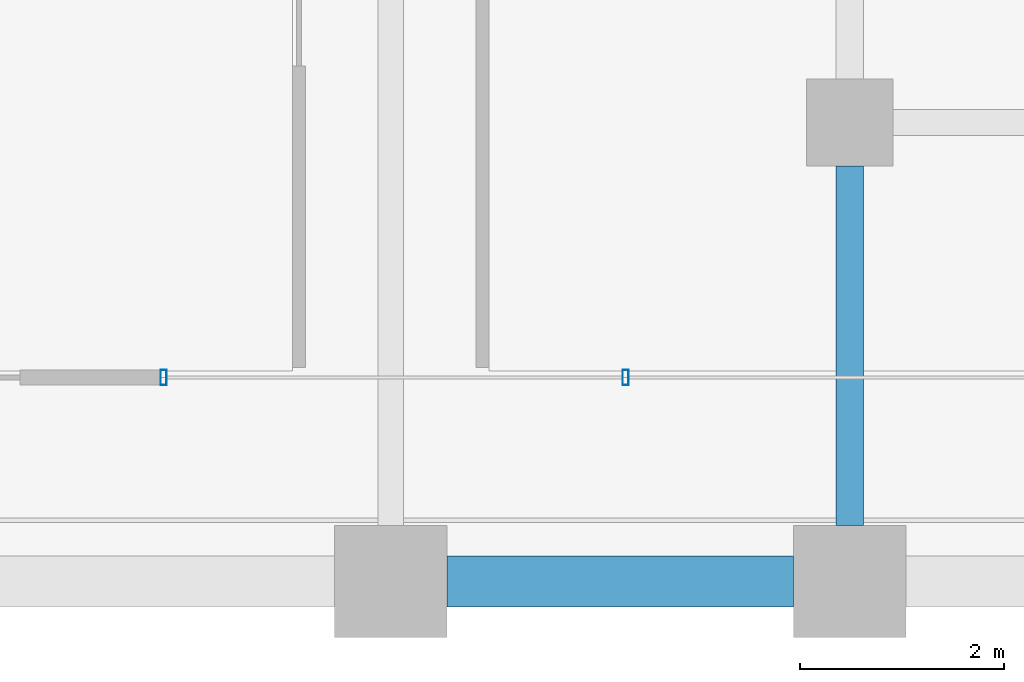
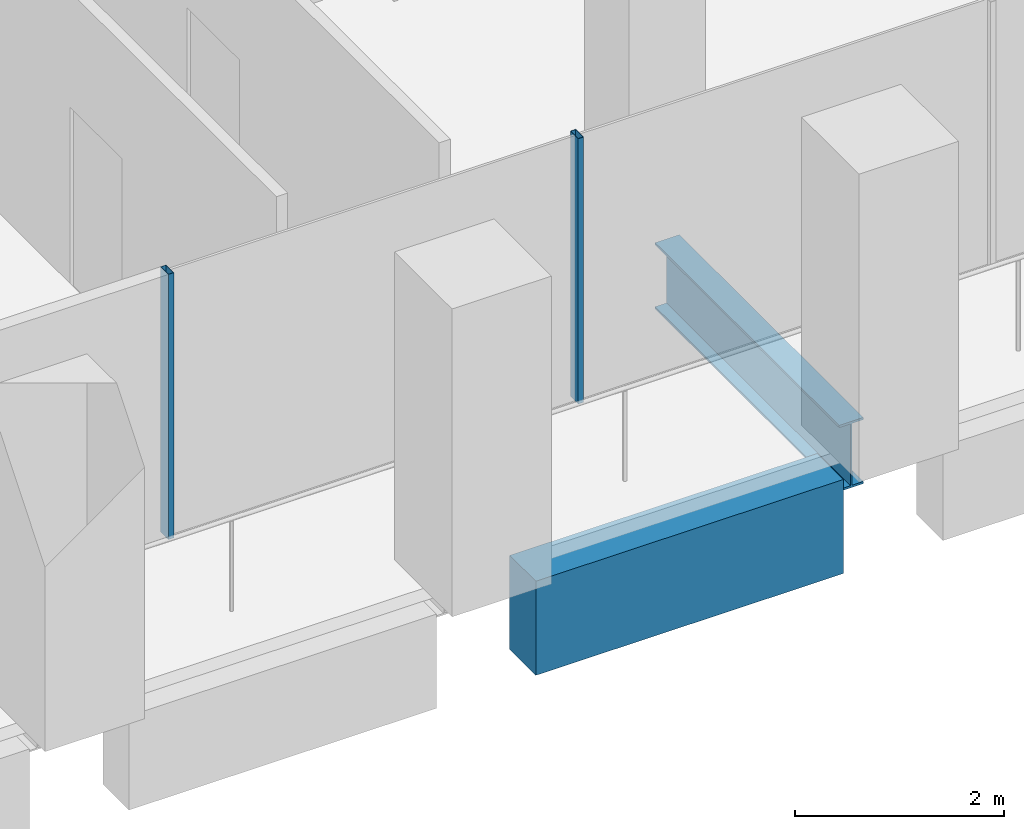
# One storey, part 9 of 56: 2 beams, 2 members, 1 element without a shape of its own.
"""IFC4 building model written with IfcOpenShell, lengths in metres."""

from ifc_helpers import new_model, si_unit, direction, frame, origin, origin_2d, place, context, subcontext, project, spatial, rectangle, hollow_rectangle, i_section, extrude, material, material_profile, profile_set, type_object, element, aggregate, save


model = new_model("IFC4")

# Units and contexts
model_context = context("Model", 3, precision=1e-05, world=origin(), true_north=direction((0.0, 1.0)))
body_context = subcontext(model_context, "Body", "Model", "MODEL_VIEW")
ifc_project = project(units=[si_unit("LENGTHUNIT", "METRE"), si_unit("AREAUNIT", "SQUARE_METRE"), si_unit("VOLUMEUNIT", "CUBIC_METRE"), si_unit("PLANEANGLEUNIT", "RADIAN"), si_unit("MASSUNIT", "GRAM", prefix="KILO")], contexts=[model_context])

# Site, building, storey
site_placement = place(None, origin())
site = spatial("IfcSite", under=ifc_project, at=site_placement, CompositionType="ELEMENT")
building_placement = place(site_placement, origin())
building = spatial("IfcBuilding", under=site, at=building_placement, Name="Altepetl Exchange Towers", CompositionType="ELEMENT")
storey_placement = place(building_placement, frame((0.0, 0.0, 69.0)))
storey = spatial("IfcBuildingStorey", under=building, at=storey_placement, Name="L16", CompositionType="ELEMENT", Elevation=69.0)

# Beam
ifc_material_1 = material(Name="Steel S355", Category="steel")
ifc_material_profile_1 = material_profile(ifc_material_1, i_section(OverallWidth=0.26806640625, OverallDepth=0.77392578125, WebThickness=0.015380859375, FlangeThickness=0.025390625, at=origin_2d()), Name="W30X132")
ifc_profile_set_1 = profile_set([ifc_material_profile_1], Name="Steel S355")
beam_type_1 = type_object("IfcBeamType", Name="Girder W30X132", PredefinedType="BEAM", material=ifc_profile_set_1)
beam_1_placement = place(storey_placement, frame((58.5, 31.074951171875, -0.537109375), z_axis=(0.0, -1.0, 0.0), x_axis=(1.0, 0.0, 0.0)))
element("IfcBeam", 1, at=beam_1_placement, inside=storey, type_object=beam_type_1, Name="gd:A:L16:008", PredefinedType="BEAM", context=body_context, shape_type="SweptSolid", body=[
    extrude(i_section(OverallWidth=0.26806640625, OverallDepth=0.77392578125, WebThickness=0.015380859375, FlangeThickness=0.025390625, at=origin_2d()), origin(), (0.0, 0.0, 1.0), 3.52490234375),
])

# Curtain wall, members
ifc_material_2 = material(Name="Aluminium 6063-T6 glazing", Category="aluminium")
curtain_wall_type = type_object("IfcCurtainWallType", Name="Loggia glazing system", PredefinedType="NOTDEFINED", material=ifc_material_2)
curtain_wall_placement = place(storey_placement, origin())
curtain_wall = element("IfcCurtainWall", 2, at=curtain_wall_placement, inside=storey, type_object=curtain_wall_type, Name="CW1 run", PredefinedType="NOTDEFINED")
ifc_material_3 = material(Name="Aluminium 6063-T6", Category="aluminium")
ifc_material_profile_2 = material_profile(ifc_material_3, hollow_rectangle(XDim=0.06005859375, YDim=0.14990234375, WallThickness=0.0029296875, at=origin_2d()), Name="Mullion 60x150 aluminium")
ifc_profile_set_2 = profile_set([ifc_material_profile_2], Name="Aluminium 6063-T6")
member_type = type_object("IfcMemberType", Name="Mullion 60x150 aluminium", PredefinedType="MULLION", material=ifc_profile_set_2)
member_1_placement = place(storey_placement, frame((51.77294921875, 29.0, 0.0)))
member_1 = element("IfcMember", 3, at=member_1_placement, type_object=member_type, Name="MU1 mullion", PredefinedType="MULLION", context=body_context, shape_type="SweptSolid", body=[
    extrude(hollow_rectangle(XDim=0.06005859375, YDim=0.14990234375, WallThickness=0.0029296875, at=origin_2d()), origin(), (0.0, 0.0, 1.0), 3.10009765625),
])
member_2_placement = place(storey_placement, frame((56.303466796875, 29.0, 0.0)))
member_2 = element("IfcMember", 4, at=member_2_placement, type_object=member_type, Name="MU1 mullion", PredefinedType="MULLION", context=body_context, shape_type="SweptSolid", body=[
    extrude(hollow_rectangle(XDim=0.06005859375, YDim=0.14990234375, WallThickness=0.0029296875, at=origin_2d()), origin(), (0.0, 0.0, 1.0), 3.10009765625),
])
aggregate(curtain_wall, [member_1, member_2])

# Beam
ifc_material_4 = material(Name="Concrete C50/60 precast with cantera blanca facing", Category="concrete")
ifc_material_profile_3 = material_profile(ifc_material_4, rectangle(XDim=0.5, YDim=1.10009765625, at=origin_2d()), Name="500 x 1100")
ifc_profile_set_3 = profile_set([ifc_material_profile_3], Name="Concrete C50/60 precast with cantera blanca facing")
beam_type_2 = type_object("IfcBeamType", Name="Spandrel beam 500x1100 cantera blanca", PredefinedType="SPANDREL", material=ifc_profile_set_3)
beam_2_placement = place(storey_placement, frame((54.550048828125, 27.0, -0.699951171875), z_axis=(1.0, 0.0, 0.0), x_axis=(0.0, 1.0, 0.0)))
element("IfcBeam", 5, at=beam_2_placement, inside=storey, type_object=beam_type_2, Name="sp:A:L16:005", PredefinedType="SPANDREL", context=body_context, shape_type="SweptSolid", body=[
    extrude(rectangle(XDim=0.5, YDim=1.10009765625, at=origin_2d()), origin(), (0.0, 0.0, 1.0), 3.39990234375),
])

save(model, "model.ifc")
